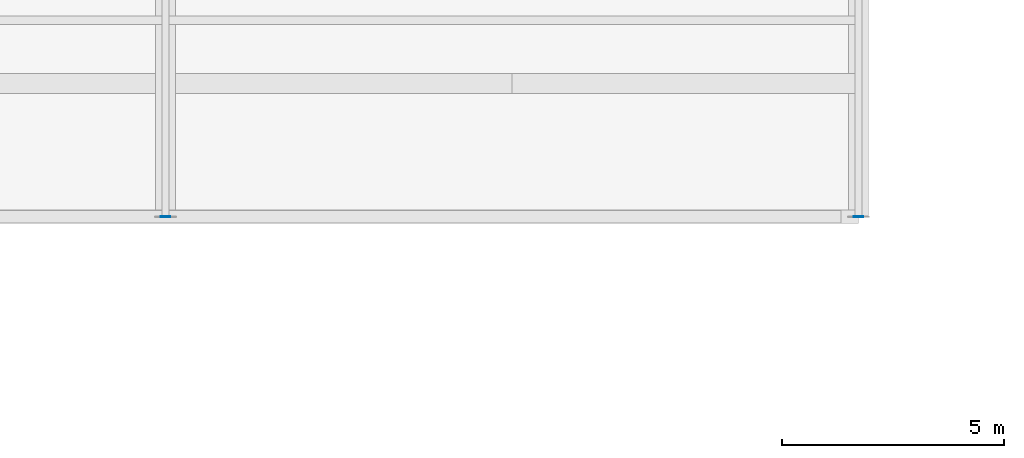
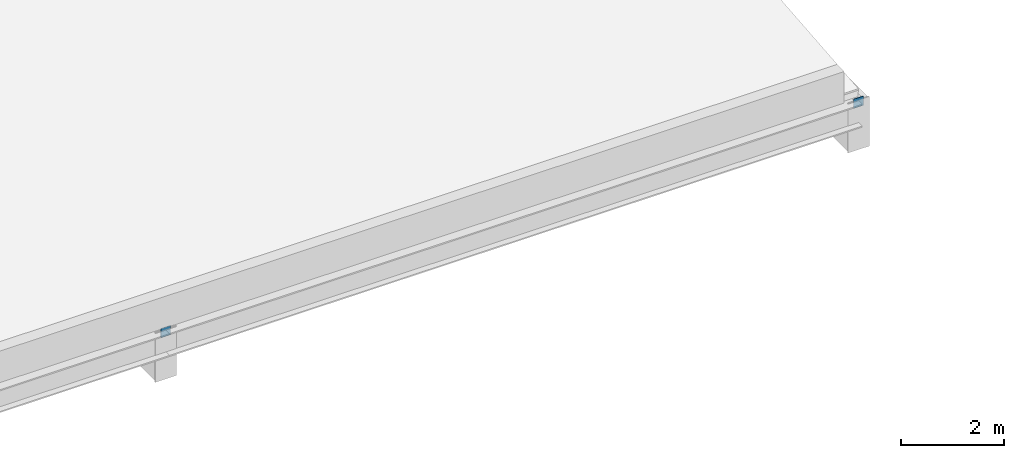
# One storey, part 27 of 45: 2 plates.
"""IFC4 building model written with IfcOpenShell, lengths in metres."""

from ifc_helpers import new_model, si_unit, direction, frame, origin, origin_2d, place, context, subcontext, project, spatial, rectangle, extrude, material, layer, layer_set, type_object, element, save


model = new_model("IFC4")

# Units and contexts
model_context = context("Model", 3, precision=1e-05, world=origin(), true_north=direction((0.0, 1.0)))
body_context = subcontext(model_context, "Body", "Model", "MODEL_VIEW")
ifc_project = project(units=[si_unit("LENGTHUNIT", "METRE"), si_unit("AREAUNIT", "SQUARE_METRE"), si_unit("VOLUMEUNIT", "CUBIC_METRE"), si_unit("PLANEANGLEUNIT", "RADIAN"), si_unit("MASSUNIT", "GRAM", prefix="KILO")], contexts=[model_context])

# Site, building, storey
site_placement = place(None, origin())
site = spatial("IfcSite", under=ifc_project, at=site_placement, CompositionType="ELEMENT")
building_placement = place(site_placement, origin())
building = spatial("IfcBuilding", under=site, at=building_placement, Name="Celorna Specialist Clinic", CompositionType="ELEMENT")
storey_placement = place(building_placement, frame((0.0, 0.0, 18.60009765625)))
storey = spatial("IfcBuildingStorey", under=building, at=storey_placement, Name="L04", CompositionType="ELEMENT", Elevation=18.60009765625)

# Plates
ifc_material = material(Name="Steel S355", Category="steel")
ifc_layer = layer(ifc_material, 0.01611328125, Name="Steel S355")
ifc_layer_set = layer_set([ifc_layer], Name="Steel S355")
plate_type = type_object("IfcPlateType", Name="EP-04", PredefinedType="SHEET", material=ifc_layer_set)
for number, where, z_axis, x_axis, name in (
    (1, (70.199951171875, 5.699951171875, -0.31201171875), (0.0, 0.0, 1.0), (1.0, 0.0, 0.0), "Rafter chord cap plate ROOF-V6-SOUTH"),
    (2, (85.800048828125, 5.699951171875, -0.31201171875), (0.0, 0.0, 1.0), (1.0, 0.0, 0.0), "Rafter chord cap plate ROOF-V6-SOUTH"),
):
    element("IfcPlate", number, at=place(storey_placement, frame(where, z_axis=z_axis, x_axis=x_axis)), inside=storey, type_object=plate_type, Name=name, PredefinedType="SHEET", context=body_context, shape_type="SweptSolid", body=[
        extrude(rectangle(XDim=0.219970703125, YDim=0.013916015625, at=origin_2d()), origin(), (0.0, 0.0, 1.0), 0.219970703125),
    ])

save(model, "model.ifc")
